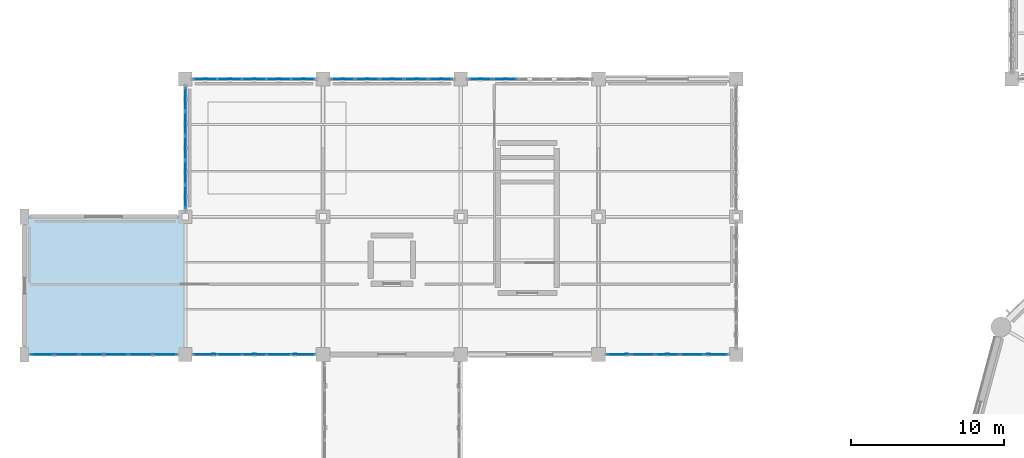
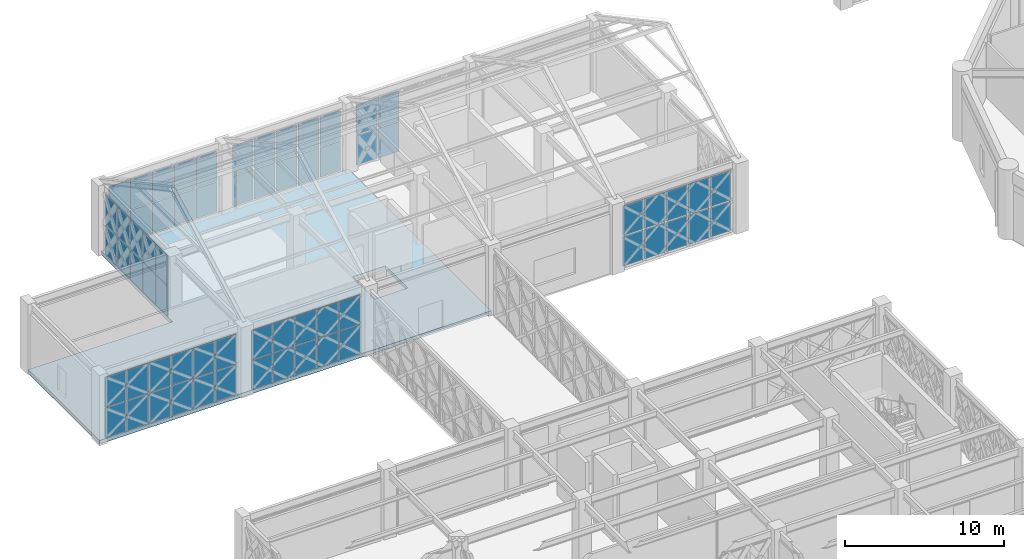
# One storey, part 130 of 166: 66 plates, 1 slab, 7 elements without a shape of their own.
"""IFC4 building model written with IfcOpenShell, lengths in metres."""

from ifc_helpers import new_model, si_unit, direction, frame, origin, origin_2d, place, context, subcontext, project, spatial, polyline, rectangle, outline, extrude, material, layer, layer_set, type_object, element, aggregate, save


model = new_model("IFC4")

# Units and contexts
model_context = context("Model", 3, precision=1e-05, world=origin(), true_north=direction((0.0, 1.0)))
body_context = subcontext(model_context, "Body", "Model", "MODEL_VIEW")
ifc_project = project(units=[si_unit("LENGTHUNIT", "METRE"), si_unit("AREAUNIT", "SQUARE_METRE"), si_unit("VOLUMEUNIT", "CUBIC_METRE"), si_unit("PLANEANGLEUNIT", "RADIAN"), si_unit("MASSUNIT", "GRAM", prefix="KILO")], contexts=[model_context])

# Site, building, storey
site_placement = place(None, origin())
site = spatial("IfcSite", under=ifc_project, at=site_placement, CompositionType="ELEMENT")
building_placement = place(site_placement, origin())
building = spatial("IfcBuilding", under=site, at=building_placement, Name="Haizhuo Lancet Aquarium", CompositionType="ELEMENT")
storey_placement = place(building_placement, frame((0.0, 0.0, 5.39990234375)))
storey = spatial("IfcBuildingStorey", under=building, at=storey_placement, Name="L01", CompositionType="ELEMENT", Elevation=5.39990234375)

# Curtain wall, plates
ifc_material_1 = material(Name="Aluminium 6063-T6", Category="aluminium")
curtain_wall_type_1 = type_object("IfcCurtainWallType", Name="CWD-8010x4800", PredefinedType="NOTDEFINED", material=ifc_material_1)
curtain_wall_1_placement = place(storey_placement, origin())
curtain_wall_1 = element("IfcCurtainWall", 1, at=curtain_wall_1_placement, inside=storey, type_object=curtain_wall_type_1, Name="L01 curtain wall CW-V2-L01-021", PredefinedType="NOTDEFINED")
ifc_material_2 = material(Name="Laminated Low-E Glass", Category="glass")
ifc_layer_1 = layer(ifc_material_2, 0.028076171875)
ifc_layer_set_1 = layer_set([ifc_layer_1], Name="Laminated Low-E Glass")
plate_type_1 = type_object("IfcPlateType", Name="CW-PNL-1", PredefinedType="CURTAIN_PANEL", material=ifc_layer_set_1)
plate_1_placement = place(storey_placement, frame((-72.0, 19.31591796875, 0.080078125), z_axis=(0.0, 0.0, 1.0), x_axis=(0.0, 1.0, 0.0)))
plate_1 = element("IfcPlate", 2, at=plate_1_placement, type_object=plate_type_1, Name="CWD-80x48 panel 1.1", PredefinedType="CURTAIN_PANEL", context=body_context, shape_type="SweptSolid", body=[
    extrude(rectangle(XDim=1.48193359375, YDim=0.028076171875, at=origin_2d()), origin(), (0.0, 0.0, 1.0), 2.280029296875),
])
plate_2_placement = place(storey_placement, frame((-72.0, 19.31591796875, 2.43994140625), z_axis=(0.0, 0.0, 1.0), x_axis=(0.0, 1.0, 0.0)))
plate_2 = element("IfcPlate", 3, at=plate_2_placement, type_object=plate_type_1, Name="CWD-80x48 panel 1.2", PredefinedType="CURTAIN_PANEL", context=body_context, shape_type="SweptSolid", body=[
    extrude(rectangle(XDim=1.48193359375, YDim=0.028076171875, at=origin_2d()), origin(), (0.0, 0.0, 1.0), 2.280029296875),
])
plate_3_placement = place(storey_placement, frame((-72.0, 20.89794921875, 0.080078125), z_axis=(0.0, 0.0, 1.0), x_axis=(0.0, 1.0, 0.0)))
plate_3 = element("IfcPlate", 4, at=plate_3_placement, type_object=plate_type_1, Name="CWD-80x48 panel 2.1", PredefinedType="CURTAIN_PANEL", context=body_context, shape_type="SweptSolid", body=[
    extrude(rectangle(XDim=1.52197265625, YDim=0.028076171875, at=origin_2d()), origin(), (0.0, 0.0, 1.0), 2.280029296875),
])
plate_4_placement = place(storey_placement, frame((-72.0, 20.89794921875, 2.43994140625), z_axis=(0.0, 0.0, 1.0), x_axis=(0.0, 1.0, 0.0)))
plate_4 = element("IfcPlate", 5, at=plate_4_placement, type_object=plate_type_1, Name="CWD-80x48 panel 2.2", PredefinedType="CURTAIN_PANEL", context=body_context, shape_type="SweptSolid", body=[
    extrude(rectangle(XDim=1.52197265625, YDim=0.028076171875, at=origin_2d()), origin(), (0.0, 0.0, 1.0), 2.280029296875),
])
plate_5_placement = place(storey_placement, frame((-72.0, 22.5, 0.080078125), z_axis=(0.0, 0.0, 1.0), x_axis=(0.0, 1.0, 0.0)))
plate_5 = element("IfcPlate", 6, at=plate_5_placement, type_object=plate_type_1, Name="CWD-80x48 panel 3.1", PredefinedType="CURTAIN_PANEL", context=body_context, shape_type="SweptSolid", body=[
    extrude(rectangle(XDim=1.52197265625, YDim=0.028076171875, at=origin_2d()), origin(), (0.0, 0.0, 1.0), 2.280029296875),
])
plate_6_placement = place(storey_placement, frame((-72.0, 22.5, 2.43994140625), z_axis=(0.0, 0.0, 1.0), x_axis=(0.0, 1.0, 0.0)))
plate_6 = element("IfcPlate", 7, at=plate_6_placement, type_object=plate_type_1, Name="CWD-80x48 panel 3.2", PredefinedType="CURTAIN_PANEL", context=body_context, shape_type="SweptSolid", body=[
    extrude(rectangle(XDim=1.52197265625, YDim=0.028076171875, at=origin_2d()), origin(), (0.0, 0.0, 1.0), 2.280029296875),
])
plate_7_placement = place(storey_placement, frame((-72.0, 24.10205078125, 0.080078125), z_axis=(0.0, 0.0, 1.0), x_axis=(0.0, 1.0, 0.0)))
plate_7 = element("IfcPlate", 8, at=plate_7_placement, type_object=plate_type_1, Name="CWD-80x48 panel 4.1", PredefinedType="CURTAIN_PANEL", context=body_context, shape_type="SweptSolid", body=[
    extrude(rectangle(XDim=1.52197265625, YDim=0.028076171875, at=origin_2d()), origin(), (0.0, 0.0, 1.0), 2.280029296875),
])
plate_8_placement = place(storey_placement, frame((-72.0, 24.10205078125, 2.43994140625), z_axis=(0.0, 0.0, 1.0), x_axis=(0.0, 1.0, 0.0)))
plate_8 = element("IfcPlate", 9, at=plate_8_placement, type_object=plate_type_1, Name="CWD-80x48 panel 4.2", PredefinedType="CURTAIN_PANEL", context=body_context, shape_type="SweptSolid", body=[
    extrude(rectangle(XDim=1.52197265625, YDim=0.028076171875, at=origin_2d()), origin(), (0.0, 0.0, 1.0), 2.280029296875),
])
plate_9_placement = place(storey_placement, frame((-72.0, 25.68408203125, 0.080078125), z_axis=(0.0, 0.0, 1.0), x_axis=(0.0, 1.0, 0.0)))
plate_9 = element("IfcPlate", 10, at=plate_9_placement, type_object=plate_type_1, Name="CWD-80x48 panel 5.1", PredefinedType="CURTAIN_PANEL", context=body_context, shape_type="SweptSolid", body=[
    extrude(rectangle(XDim=1.48193359375, YDim=0.028076171875, at=origin_2d()), origin(), (0.0, 0.0, 1.0), 2.280029296875),
])
plate_10_placement = place(storey_placement, frame((-72.0, 25.68408203125, 2.43994140625), z_axis=(0.0, 0.0, 1.0), x_axis=(0.0, 1.0, 0.0)))
plate_10 = element("IfcPlate", 11, at=plate_10_placement, type_object=plate_type_1, Name="CWD-80x48 panel 5.2", PredefinedType="CURTAIN_PANEL", context=body_context, shape_type="SweptSolid", body=[
    extrude(rectangle(XDim=1.48193359375, YDim=0.028076171875, at=origin_2d()), origin(), (0.0, 0.0, 1.0), 2.280029296875),
])
aggregate(curtain_wall_1, [plate_1, plate_2, plate_3, plate_4, plate_5, plate_6, plate_7, plate_8, plate_9, plate_10])

curtain_wall_type_2 = type_object("IfcCurtainWallType", Name="CWO-9660x4800", PredefinedType="NOTDEFINED", material=ifc_material_1)
curtain_wall_2_placement = place(storey_placement, origin())
curtain_wall_2 = element("IfcCurtainWall", 12, at=curtain_wall_2_placement, inside=storey, type_object=curtain_wall_type_2, Name="L01 curtain wall CW-V2-L01-029", PredefinedType="NOTDEFINED")
plate_11_placement = place(storey_placement, frame((-73.319091796875, 9.0, 0.074951171875), z_axis=(0.0, 0.0, 1.0), x_axis=(-1.0, 0.0, 0.0)))
plate_11 = element("IfcPlate", 13, at=plate_11_placement, type_object=plate_type_1, Name="CWO-96x48 panel 1.1", PredefinedType="CURTAIN_PANEL", context=body_context, shape_type="SweptSolid", body=[
    extrude(rectangle(XDim=1.4970703125, YDim=0.028076171875, at=origin_2d()), origin(), (0.0, 0.0, 1.0), 2.2880859375),
])
plate_12_placement = place(storey_placement, frame((-73.319091796875, 9.0, 2.43701171875), z_axis=(0.0, 0.0, 1.0), x_axis=(-1.0, 0.0, 0.0)))
plate_12 = element("IfcPlate", 14, at=plate_12_placement, type_object=plate_type_1, Name="CWO-96x48 panel 1.2", PredefinedType="CURTAIN_PANEL", context=body_context, shape_type="SweptSolid", body=[
    extrude(rectangle(XDim=1.4970703125, YDim=0.028076171875, at=origin_2d()), origin(), (0.0, 0.0, 1.0), 2.2880859375),
])
plate_13_placement = place(storey_placement, frame((-74.909912109375, 9.0, 0.074951171875), z_axis=(0.0, 0.0, 1.0), x_axis=(-1.0, 0.0, 0.0)))
plate_13 = element("IfcPlate", 15, at=plate_13_placement, type_object=plate_type_1, Name="CWO-96x48 panel 2.1", PredefinedType="CURTAIN_PANEL", context=body_context, shape_type="SweptSolid", body=[
    extrude(rectangle(XDim=1.534912109375, YDim=0.028076171875, at=origin_2d()), origin(), (0.0, 0.0, 1.0), 2.2880859375),
])
plate_14_placement = place(storey_placement, frame((-74.909912109375, 9.0, 2.43701171875), z_axis=(0.0, 0.0, 1.0), x_axis=(-1.0, 0.0, 0.0)))
plate_14 = element("IfcPlate", 16, at=plate_14_placement, type_object=plate_type_1, Name="CWO-96x48 panel 2.2", PredefinedType="CURTAIN_PANEL", context=body_context, shape_type="SweptSolid", body=[
    extrude(rectangle(XDim=1.534912109375, YDim=0.028076171875, at=origin_2d()), origin(), (0.0, 0.0, 1.0), 2.2880859375),
])
plate_15_placement = place(storey_placement, frame((-76.52001953125, 9.0, 0.074951171875), z_axis=(0.0, 0.0, 1.0), x_axis=(-1.0, 0.0, 0.0)))
plate_15 = element("IfcPlate", 17, at=plate_15_placement, type_object=plate_type_1, Name="CWO-96x48 panel 3.1", PredefinedType="CURTAIN_PANEL", context=body_context, shape_type="SweptSolid", body=[
    extrude(rectangle(XDim=1.534912109375, YDim=0.028076171875, at=origin_2d()), origin(), (0.0, 0.0, 1.0), 2.2880859375),
])
plate_16_placement = place(storey_placement, frame((-76.52001953125, 9.0, 2.43701171875), z_axis=(0.0, 0.0, 1.0), x_axis=(-1.0, 0.0, 0.0)))
plate_16 = element("IfcPlate", 18, at=plate_16_placement, type_object=plate_type_1, Name="CWO-96x48 panel 3.2", PredefinedType="CURTAIN_PANEL", context=body_context, shape_type="SweptSolid", body=[
    extrude(rectangle(XDim=1.534912109375, YDim=0.028076171875, at=origin_2d()), origin(), (0.0, 0.0, 1.0), 2.2880859375),
])
plate_17_placement = place(storey_placement, frame((-78.1298828125, 9.0, 0.074951171875), z_axis=(0.0, 0.0, 1.0), x_axis=(-1.0, 0.0, 0.0)))
plate_17 = element("IfcPlate", 19, at=plate_17_placement, type_object=plate_type_1, Name="CWO-96x48 panel 4.1", PredefinedType="CURTAIN_PANEL", context=body_context, shape_type="SweptSolid", body=[
    extrude(rectangle(XDim=1.534912109375, YDim=0.028076171875, at=origin_2d()), origin(), (0.0, 0.0, 1.0), 2.2880859375),
])
plate_18_placement = place(storey_placement, frame((-78.1298828125, 9.0, 2.43701171875), z_axis=(0.0, 0.0, 1.0), x_axis=(-1.0, 0.0, 0.0)))
plate_18 = element("IfcPlate", 20, at=plate_18_placement, type_object=plate_type_1, Name="CWO-96x48 panel 4.2", PredefinedType="CURTAIN_PANEL", context=body_context, shape_type="SweptSolid", body=[
    extrude(rectangle(XDim=1.534912109375, YDim=0.028076171875, at=origin_2d()), origin(), (0.0, 0.0, 1.0), 2.2880859375),
])
plate_19_placement = place(storey_placement, frame((-79.739990234375, 9.0, 0.074951171875), z_axis=(0.0, 0.0, 1.0), x_axis=(-1.0, 0.0, 0.0)))
plate_19 = element("IfcPlate", 21, at=plate_19_placement, type_object=plate_type_1, Name="CWO-96x48 panel 5.1", PredefinedType="CURTAIN_PANEL", context=body_context, shape_type="SweptSolid", body=[
    extrude(rectangle(XDim=1.534912109375, YDim=0.028076171875, at=origin_2d()), origin(), (0.0, 0.0, 1.0), 2.2880859375),
])
plate_20_placement = place(storey_placement, frame((-79.739990234375, 9.0, 2.43701171875), z_axis=(0.0, 0.0, 1.0), x_axis=(-1.0, 0.0, 0.0)))
plate_20 = element("IfcPlate", 22, at=plate_20_placement, type_object=plate_type_1, Name="CWO-96x48 panel 5.2", PredefinedType="CURTAIN_PANEL", context=body_context, shape_type="SweptSolid", body=[
    extrude(rectangle(XDim=1.534912109375, YDim=0.028076171875, at=origin_2d()), origin(), (0.0, 0.0, 1.0), 2.2880859375),
])
plate_21_placement = place(storey_placement, frame((-81.3310546875, 9.0, 0.074951171875), z_axis=(0.0, 0.0, 1.0), x_axis=(-1.0, 0.0, 0.0)))
plate_21 = element("IfcPlate", 23, at=plate_21_placement, type_object=plate_type_1, Name="CWO-96x48 panel 6.1", PredefinedType="CURTAIN_PANEL", context=body_context, shape_type="SweptSolid", body=[
    extrude(rectangle(XDim=1.498046875, YDim=0.028076171875, at=origin_2d()), origin(), (0.0, 0.0, 1.0), 2.2880859375),
])
plate_22_placement = place(storey_placement, frame((-81.3310546875, 9.0, 2.43701171875), z_axis=(0.0, 0.0, 1.0), x_axis=(-1.0, 0.0, 0.0)))
plate_22 = element("IfcPlate", 24, at=plate_22_placement, type_object=plate_type_1, Name="CWO-96x48 panel 6.2", PredefinedType="CURTAIN_PANEL", context=body_context, shape_type="SweptSolid", body=[
    extrude(rectangle(XDim=1.498046875, YDim=0.028076171875, at=origin_2d()), origin(), (0.0, 0.0, 1.0), 2.2880859375),
])
aggregate(curtain_wall_2, [plate_11, plate_12, plate_13, plate_14, plate_15, plate_16, plate_17, plate_18, plate_19, plate_20, plate_21, plate_22])

curtain_wall_3_placement = place(storey_placement, origin())
curtain_wall_3 = element("IfcCurtainWall", 25, at=curtain_wall_3_placement, inside=storey, type_object=curtain_wall_type_1, Name="L01 curtain wall CW-V2-L01-022", PredefinedType="NOTDEFINED")
ifc_layer_2 = layer(ifc_material_2, 0.033935546875)
ifc_layer_set_2 = layer_set([ifc_layer_2], Name="Laminated Low-E Glass")
plate_type_2 = type_object("IfcPlateType", Name="CW-PNL-2", PredefinedType="CURTAIN_PANEL", material=ifc_layer_set_2)
plate_23_placement = place(storey_placement, frame((-70.68798828125, 27.0, 0.064453125), z_axis=(0.0, 0.0, 1.0), x_axis=(1.0, 0.0, 0.0)))
plate_23 = element("IfcPlate", 26, at=plate_23_placement, type_object=plate_type_2, Name="CWD-80x48 panel 1.1", PredefinedType="CURTAIN_PANEL", context=body_context, shape_type="SweptSolid", body=[
    extrude(rectangle(XDim=1.50390625, YDim=0.033935546875, at=origin_2d()), origin(), (0.0, 0.0, 1.0), 2.302978515625),
])
plate_24_placement = place(storey_placement, frame((-70.68798828125, 27.0, 2.43310546875), z_axis=(0.0, 0.0, 1.0), x_axis=(1.0, 0.0, 0.0)))
plate_24 = element("IfcPlate", 27, at=plate_24_placement, type_object=plate_type_2, Name="CWD-80x48 panel 1.2", PredefinedType="CURTAIN_PANEL", context=body_context, shape_type="SweptSolid", body=[
    extrude(rectangle(XDim=1.50390625, YDim=0.033935546875, at=origin_2d()), origin(), (0.0, 0.0, 1.0), 2.302001953125),
])
plate_25_placement = place(storey_placement, frame((-69.10205078125, 27.0, 0.064453125), z_axis=(0.0, 0.0, 1.0), x_axis=(1.0, 0.0, 0.0)))
plate_25 = element("IfcPlate", 28, at=plate_25_placement, type_object=plate_type_2, Name="CWD-80x48 panel 2.1", PredefinedType="CURTAIN_PANEL", context=body_context, shape_type="SweptSolid", body=[
    extrude(rectangle(XDim=1.537109375, YDim=0.033935546875, at=origin_2d()), origin(), (0.0, 0.0, 1.0), 2.302978515625),
])
plate_26_placement = place(storey_placement, frame((-69.10205078125, 27.0, 2.43310546875), z_axis=(0.0, 0.0, 1.0), x_axis=(1.0, 0.0, 0.0)))
plate_26 = element("IfcPlate", 29, at=plate_26_placement, type_object=plate_type_2, Name="CWD-80x48 panel 2.2", PredefinedType="CURTAIN_PANEL", context=body_context, shape_type="SweptSolid", body=[
    extrude(rectangle(XDim=1.537109375, YDim=0.033935546875, at=origin_2d()), origin(), (0.0, 0.0, 1.0), 2.302001953125),
])
plate_27_placement = place(storey_placement, frame((-67.5, 27.0, 0.064453125), z_axis=(0.0, 0.0, 1.0), x_axis=(1.0, 0.0, 0.0)))
plate_27 = element("IfcPlate", 30, at=plate_27_placement, type_object=plate_type_2, Name="CWD-80x48 panel 3.1", PredefinedType="CURTAIN_PANEL", context=body_context, shape_type="SweptSolid", body=[
    extrude(rectangle(XDim=1.537109375, YDim=0.033935546875, at=origin_2d()), origin(), (0.0, 0.0, 1.0), 2.302978515625),
])
plate_28_placement = place(storey_placement, frame((-67.5, 27.0, 2.43310546875), z_axis=(0.0, 0.0, 1.0), x_axis=(1.0, 0.0, 0.0)))
plate_28 = element("IfcPlate", 31, at=plate_28_placement, type_object=plate_type_2, Name="CWD-80x48 panel 3.2", PredefinedType="CURTAIN_PANEL", context=body_context, shape_type="SweptSolid", body=[
    extrude(rectangle(XDim=1.537109375, YDim=0.033935546875, at=origin_2d()), origin(), (0.0, 0.0, 1.0), 2.302001953125),
])
plate_29_placement = place(storey_placement, frame((-65.89794921875, 27.0, 0.064453125), z_axis=(0.0, 0.0, 1.0), x_axis=(1.0, 0.0, 0.0)))
plate_29 = element("IfcPlate", 32, at=plate_29_placement, type_object=plate_type_2, Name="CWD-80x48 panel 4.1", PredefinedType="CURTAIN_PANEL", context=body_context, shape_type="SweptSolid", body=[
    extrude(rectangle(XDim=1.537109375, YDim=0.033935546875, at=origin_2d()), origin(), (0.0, 0.0, 1.0), 2.302978515625),
])
plate_30_placement = place(storey_placement, frame((-65.89794921875, 27.0, 2.43310546875), z_axis=(0.0, 0.0, 1.0), x_axis=(1.0, 0.0, 0.0)))
plate_30 = element("IfcPlate", 33, at=plate_30_placement, type_object=plate_type_2, Name="CWD-80x48 panel 4.2", PredefinedType="CURTAIN_PANEL", context=body_context, shape_type="SweptSolid", body=[
    extrude(rectangle(XDim=1.537109375, YDim=0.033935546875, at=origin_2d()), origin(), (0.0, 0.0, 1.0), 2.302001953125),
])
plate_31_placement = place(storey_placement, frame((-64.31201171875, 27.0, 0.064453125), z_axis=(0.0, 0.0, 1.0), x_axis=(1.0, 0.0, 0.0)))
plate_31 = element("IfcPlate", 34, at=plate_31_placement, type_object=plate_type_2, Name="CWD-80x48 panel 5.1", PredefinedType="CURTAIN_PANEL", context=body_context, shape_type="SweptSolid", body=[
    extrude(rectangle(XDim=1.5048828125, YDim=0.033935546875, at=origin_2d()), origin(), (0.0, 0.0, 1.0), 2.302978515625),
])
plate_32_placement = place(storey_placement, frame((-64.31201171875, 27.0, 2.43310546875), z_axis=(0.0, 0.0, 1.0), x_axis=(1.0, 0.0, 0.0)))
plate_32 = element("IfcPlate", 35, at=plate_32_placement, type_object=plate_type_2, Name="CWD-80x48 panel 5.2", PredefinedType="CURTAIN_PANEL", context=body_context, shape_type="SweptSolid", body=[
    extrude(rectangle(XDim=1.5048828125, YDim=0.033935546875, at=origin_2d()), origin(), (0.0, 0.0, 1.0), 2.302001953125),
])
aggregate(curtain_wall_3, [plate_23, plate_24, plate_25, plate_26, plate_27, plate_28, plate_29, plate_30, plate_31, plate_32])

curtain_wall_4_placement = place(storey_placement, origin())
curtain_wall_4 = element("IfcCurtainWall", 36, at=curtain_wall_4_placement, inside=storey, type_object=curtain_wall_type_1, Name="L01 curtain wall CW-V2-L01-023", PredefinedType="NOTDEFINED")
ifc_layer_3 = layer(ifc_material_2, 0.0419921875)
ifc_layer_set_3 = layer_set([ifc_layer_3], Name="Laminated Low-E Glass")
plate_type_3 = type_object("IfcPlateType", Name="CW-PNL-3", PredefinedType="CURTAIN_PANEL", material=ifc_layer_set_3)
plate_33_placement = place(storey_placement, frame((-61.68505859375, 27.0, 0.074951171875), z_axis=(0.0, 0.0, 1.0), x_axis=(1.0, 0.0, 0.0)))
plate_33 = element("IfcPlate", 37, at=plate_33_placement, type_object=plate_type_3, Name="CWD-80x48 panel 1.1", PredefinedType="CURTAIN_PANEL", context=body_context, shape_type="SweptSolid", body=[
    extrude(rectangle(XDim=1.489990234375, YDim=0.0419921875, at=origin_2d()), origin(), (0.0, 0.0, 1.0), 2.2880859375),
])
plate_34_placement = place(storey_placement, frame((-61.68505859375, 27.0, 2.43701171875), z_axis=(0.0, 0.0, 1.0), x_axis=(1.0, 0.0, 0.0)))
plate_34 = element("IfcPlate", 38, at=plate_34_placement, type_object=plate_type_3, Name="CWD-80x48 panel 1.2", PredefinedType="CURTAIN_PANEL", context=body_context, shape_type="SweptSolid", body=[
    extrude(rectangle(XDim=1.489990234375, YDim=0.0419921875, at=origin_2d()), origin(), (0.0, 0.0, 1.0), 2.2880859375),
])
plate_35_placement = place(storey_placement, frame((-60.10205078125, 27.0, 0.074951171875), z_axis=(0.0, 0.0, 1.0), x_axis=(1.0, 0.0, 0.0)))
plate_35 = element("IfcPlate", 39, at=plate_35_placement, type_object=plate_type_3, Name="CWD-80x48 panel 2.1", PredefinedType="CURTAIN_PANEL", context=body_context, shape_type="SweptSolid", body=[
    extrude(rectangle(XDim=1.527099609375, YDim=0.0419921875, at=origin_2d()), origin(), (0.0, 0.0, 1.0), 2.2880859375),
])
plate_36_placement = place(storey_placement, frame((-60.10205078125, 27.0, 2.43701171875), z_axis=(0.0, 0.0, 1.0), x_axis=(1.0, 0.0, 0.0)))
plate_36 = element("IfcPlate", 40, at=plate_36_placement, type_object=plate_type_3, Name="CWD-80x48 panel 2.2", PredefinedType="CURTAIN_PANEL", context=body_context, shape_type="SweptSolid", body=[
    extrude(rectangle(XDim=1.527099609375, YDim=0.0419921875, at=origin_2d()), origin(), (0.0, 0.0, 1.0), 2.2880859375),
])
plate_37_placement = place(storey_placement, frame((-58.5, 27.0, 0.074951171875), z_axis=(0.0, 0.0, 1.0), x_axis=(1.0, 0.0, 0.0)))
plate_37 = element("IfcPlate", 41, at=plate_37_placement, type_object=plate_type_3, Name="CWD-80x48 panel 3.1", PredefinedType="CURTAIN_PANEL", context=body_context, shape_type="SweptSolid", body=[
    extrude(rectangle(XDim=1.527099609375, YDim=0.0419921875, at=origin_2d()), origin(), (0.0, 0.0, 1.0), 2.2880859375),
])
plate_38_placement = place(storey_placement, frame((-58.5, 27.0, 2.43701171875), z_axis=(0.0, 0.0, 1.0), x_axis=(1.0, 0.0, 0.0)))
plate_38 = element("IfcPlate", 42, at=plate_38_placement, type_object=plate_type_3, Name="CWD-80x48 panel 3.2", PredefinedType="CURTAIN_PANEL", context=body_context, shape_type="SweptSolid", body=[
    extrude(rectangle(XDim=1.527099609375, YDim=0.0419921875, at=origin_2d()), origin(), (0.0, 0.0, 1.0), 2.2880859375),
])
plate_39_placement = place(storey_placement, frame((-56.89794921875, 27.0, 0.074951171875), z_axis=(0.0, 0.0, 1.0), x_axis=(1.0, 0.0, 0.0)))
plate_39 = element("IfcPlate", 43, at=plate_39_placement, type_object=plate_type_3, Name="CWD-80x48 panel 4.1", PredefinedType="CURTAIN_PANEL", context=body_context, shape_type="SweptSolid", body=[
    extrude(rectangle(XDim=1.527099609375, YDim=0.0419921875, at=origin_2d()), origin(), (0.0, 0.0, 1.0), 2.2880859375),
])
plate_40_placement = place(storey_placement, frame((-56.89794921875, 27.0, 2.43701171875), z_axis=(0.0, 0.0, 1.0), x_axis=(1.0, 0.0, 0.0)))
plate_40 = element("IfcPlate", 44, at=plate_40_placement, type_object=plate_type_3, Name="CWD-80x48 panel 4.2", PredefinedType="CURTAIN_PANEL", context=body_context, shape_type="SweptSolid", body=[
    extrude(rectangle(XDim=1.527099609375, YDim=0.0419921875, at=origin_2d()), origin(), (0.0, 0.0, 1.0), 2.2880859375),
])
plate_41_placement = place(storey_placement, frame((-55.31494140625, 27.0, 0.074951171875), z_axis=(0.0, 0.0, 1.0), x_axis=(1.0, 0.0, 0.0)))
plate_41 = element("IfcPlate", 45, at=plate_41_placement, type_object=plate_type_3, Name="CWD-80x48 panel 5.1", PredefinedType="CURTAIN_PANEL", context=body_context, shape_type="SweptSolid", body=[
    extrude(rectangle(XDim=1.489990234375, YDim=0.0419921875, at=origin_2d()), origin(), (0.0, 0.0, 1.0), 2.2880859375),
])
plate_42_placement = place(storey_placement, frame((-55.31494140625, 27.0, 2.43701171875), z_axis=(0.0, 0.0, 1.0), x_axis=(1.0, 0.0, 0.0)))
plate_42 = element("IfcPlate", 46, at=plate_42_placement, type_object=plate_type_3, Name="CWD-80x48 panel 5.2", PredefinedType="CURTAIN_PANEL", context=body_context, shape_type="SweptSolid", body=[
    extrude(rectangle(XDim=1.489990234375, YDim=0.0419921875, at=origin_2d()), origin(), (0.0, 0.0, 1.0), 2.2880859375),
])
aggregate(curtain_wall_4, [plate_33, plate_34, plate_35, plate_36, plate_37, plate_38, plate_39, plate_40, plate_41, plate_42])

curtain_wall_type_3 = type_object("IfcCurtainWallType", Name="CWO-8010x4800", PredefinedType="NOTDEFINED", material=ifc_material_1)
curtain_wall_5_placement = place(storey_placement, origin())
curtain_wall_5 = element("IfcCurtainWall", 47, at=curtain_wall_5_placement, inside=storey, type_object=curtain_wall_type_3, Name="L01 curtain wall CW-V2-L01-027", PredefinedType="NOTDEFINED")
plate_43_placement = place(storey_placement, frame((-37.31591796875, 9.0, 0.080078125), z_axis=(0.0, 0.0, 1.0), x_axis=(-1.0, 0.0, 0.0)))
plate_43 = element("IfcPlate", 48, at=plate_43_placement, type_object=plate_type_3, Name="CWO-80x48 panel 1.1", PredefinedType="CURTAIN_PANEL", context=body_context, shape_type="SweptSolid", body=[
    extrude(rectangle(XDim=1.48193359375, YDim=0.0419921875, at=origin_2d()), origin(), (0.0, 0.0, 1.0), 2.280029296875),
])
plate_44_placement = place(storey_placement, frame((-37.31591796875, 9.0, 2.43994140625), z_axis=(0.0, 0.0, 1.0), x_axis=(-1.0, 0.0, 0.0)))
plate_44 = element("IfcPlate", 49, at=plate_44_placement, type_object=plate_type_3, Name="CWO-80x48 panel 1.2", PredefinedType="CURTAIN_PANEL", context=body_context, shape_type="SweptSolid", body=[
    extrude(rectangle(XDim=1.48193359375, YDim=0.0419921875, at=origin_2d()), origin(), (0.0, 0.0, 1.0), 2.280029296875),
])
plate_45_placement = place(storey_placement, frame((-38.89794921875, 9.0, 0.080078125), z_axis=(0.0, 0.0, 1.0), x_axis=(-1.0, 0.0, 0.0)))
plate_45 = element("IfcPlate", 50, at=plate_45_placement, type_object=plate_type_3, Name="CWO-80x48 panel 2.1", PredefinedType="CURTAIN_PANEL", context=body_context, shape_type="SweptSolid", body=[
    extrude(rectangle(XDim=1.52197265625, YDim=0.0419921875, at=origin_2d()), origin(), (0.0, 0.0, 1.0), 2.280029296875),
])
plate_46_placement = place(storey_placement, frame((-38.89794921875, 9.0, 2.43994140625), z_axis=(0.0, 0.0, 1.0), x_axis=(-1.0, 0.0, 0.0)))
plate_46 = element("IfcPlate", 51, at=plate_46_placement, type_object=plate_type_3, Name="CWO-80x48 panel 2.2", PredefinedType="CURTAIN_PANEL", context=body_context, shape_type="SweptSolid", body=[
    extrude(rectangle(XDim=1.52197265625, YDim=0.0419921875, at=origin_2d()), origin(), (0.0, 0.0, 1.0), 2.280029296875),
])
plate_47_placement = place(storey_placement, frame((-40.5, 9.0, 0.080078125), z_axis=(0.0, 0.0, 1.0), x_axis=(-1.0, 0.0, 0.0)))
plate_47 = element("IfcPlate", 52, at=plate_47_placement, type_object=plate_type_3, Name="CWO-80x48 panel 3.1", PredefinedType="CURTAIN_PANEL", context=body_context, shape_type="SweptSolid", body=[
    extrude(rectangle(XDim=1.52197265625, YDim=0.0419921875, at=origin_2d()), origin(), (0.0, 0.0, 1.0), 2.280029296875),
])
plate_48_placement = place(storey_placement, frame((-40.5, 9.0, 2.43994140625), z_axis=(0.0, 0.0, 1.0), x_axis=(-1.0, 0.0, 0.0)))
plate_48 = element("IfcPlate", 53, at=plate_48_placement, type_object=plate_type_3, Name="CWO-80x48 panel 3.2", PredefinedType="CURTAIN_PANEL", context=body_context, shape_type="SweptSolid", body=[
    extrude(rectangle(XDim=1.52197265625, YDim=0.0419921875, at=origin_2d()), origin(), (0.0, 0.0, 1.0), 2.280029296875),
])
plate_49_placement = place(storey_placement, frame((-42.10205078125, 9.0, 0.080078125), z_axis=(0.0, 0.0, 1.0), x_axis=(-1.0, 0.0, 0.0)))
plate_49 = element("IfcPlate", 54, at=plate_49_placement, type_object=plate_type_3, Name="CWO-80x48 panel 4.1", PredefinedType="CURTAIN_PANEL", context=body_context, shape_type="SweptSolid", body=[
    extrude(rectangle(XDim=1.52197265625, YDim=0.0419921875, at=origin_2d()), origin(), (0.0, 0.0, 1.0), 2.280029296875),
])
plate_50_placement = place(storey_placement, frame((-42.10205078125, 9.0, 2.43994140625), z_axis=(0.0, 0.0, 1.0), x_axis=(-1.0, 0.0, 0.0)))
plate_50 = element("IfcPlate", 55, at=plate_50_placement, type_object=plate_type_3, Name="CWO-80x48 panel 4.2", PredefinedType="CURTAIN_PANEL", context=body_context, shape_type="SweptSolid", body=[
    extrude(rectangle(XDim=1.52197265625, YDim=0.0419921875, at=origin_2d()), origin(), (0.0, 0.0, 1.0), 2.280029296875),
])
plate_51_placement = place(storey_placement, frame((-43.68408203125, 9.0, 0.080078125), z_axis=(0.0, 0.0, 1.0), x_axis=(-1.0, 0.0, 0.0)))
plate_51 = element("IfcPlate", 56, at=plate_51_placement, type_object=plate_type_3, Name="CWO-80x48 panel 5.1", PredefinedType="CURTAIN_PANEL", context=body_context, shape_type="SweptSolid", body=[
    extrude(rectangle(XDim=1.48193359375, YDim=0.0419921875, at=origin_2d()), origin(), (0.0, 0.0, 1.0), 2.280029296875),
])
plate_52_placement = place(storey_placement, frame((-43.68408203125, 9.0, 2.43994140625), z_axis=(0.0, 0.0, 1.0), x_axis=(-1.0, 0.0, 0.0)))
plate_52 = element("IfcPlate", 57, at=plate_52_placement, type_object=plate_type_3, Name="CWO-80x48 panel 5.2", PredefinedType="CURTAIN_PANEL", context=body_context, shape_type="SweptSolid", body=[
    extrude(rectangle(XDim=1.48193359375, YDim=0.0419921875, at=origin_2d()), origin(), (0.0, 0.0, 1.0), 2.280029296875),
])
aggregate(curtain_wall_5, [plate_43, plate_44, plate_45, plate_46, plate_47, plate_48, plate_49, plate_50, plate_51, plate_52])

curtain_wall_6_placement = place(storey_placement, origin())
curtain_wall_6 = element("IfcCurtainWall", 58, at=curtain_wall_6_placement, inside=storey, type_object=curtain_wall_type_1, Name="L01 curtain wall CW-V2-L01-024", PredefinedType="NOTDEFINED")
ifc_layer_4 = layer(ifc_material_2, 0.052001953125)
ifc_layer_set_4 = layer_set([ifc_layer_4], Name="Laminated Low-E Glass")
plate_type_4 = type_object("IfcPlateType", Name="CW-PNL-4", PredefinedType="CURTAIN_PANEL", material=ifc_layer_set_4)
plate_53_placement = place(storey_placement, frame((-52.68408203125, 27.0, 0.080078125), z_axis=(0.0, 0.0, 1.0), x_axis=(1.0, 0.0, 0.0)))
plate_53 = element("IfcPlate", 59, at=plate_53_placement, type_object=plate_type_4, Name="CWD-80x48 panel 1.1", PredefinedType="CURTAIN_PANEL", context=body_context, shape_type="SweptSolid", body=[
    extrude(rectangle(XDim=1.48193359375, YDim=0.052001953125, at=origin_2d()), origin(), (0.0, 0.0, 1.0), 2.280029296875),
])
plate_54_placement = place(storey_placement, frame((-52.68408203125, 27.0, 2.43994140625), z_axis=(0.0, 0.0, 1.0), x_axis=(1.0, 0.0, 0.0)))
plate_54 = element("IfcPlate", 60, at=plate_54_placement, type_object=plate_type_4, Name="CWD-80x48 panel 1.2", PredefinedType="CURTAIN_PANEL", context=body_context, shape_type="SweptSolid", body=[
    extrude(rectangle(XDim=1.48193359375, YDim=0.052001953125, at=origin_2d()), origin(), (0.0, 0.0, 1.0), 2.280029296875),
])
plate_55_placement = place(storey_placement, frame((-51.10205078125, 27.0, 0.080078125), z_axis=(0.0, 0.0, 1.0), x_axis=(1.0, 0.0, 0.0)))
plate_55 = element("IfcPlate", 61, at=plate_55_placement, type_object=plate_type_4, Name="CWD-80x48 panel 2.1", PredefinedType="CURTAIN_PANEL", context=body_context, shape_type="SweptSolid", body=[
    extrude(rectangle(XDim=1.52197265625, YDim=0.052001953125, at=origin_2d()), origin(), (0.0, 0.0, 1.0), 2.280029296875),
])
plate_56_placement = place(storey_placement, frame((-51.10205078125, 27.0, 2.43994140625), z_axis=(0.0, 0.0, 1.0), x_axis=(1.0, 0.0, 0.0)))
plate_56 = element("IfcPlate", 62, at=plate_56_placement, type_object=plate_type_4, Name="CWD-80x48 panel 2.2", PredefinedType="CURTAIN_PANEL", context=body_context, shape_type="SweptSolid", body=[
    extrude(rectangle(XDim=1.52197265625, YDim=0.052001953125, at=origin_2d()), origin(), (0.0, 0.0, 1.0), 2.280029296875),
])
aggregate(curtain_wall_6, [plate_53, plate_54, plate_55, plate_56])

curtain_wall_type_4 = type_object("IfcCurtainWallType", Name="CWO-8010x4650", PredefinedType="NOTDEFINED", material=ifc_material_1)
curtain_wall_7_placement = place(storey_placement, origin())
curtain_wall_7 = element("IfcCurtainWall", 63, at=curtain_wall_7_placement, inside=storey, type_object=curtain_wall_type_4, Name="L01 curtain wall CW-V2-L01-028", PredefinedType="NOTDEFINED")
plate_57_placement = place(storey_placement, frame((-64.31201171875, 9.0, 0.065185546875), z_axis=(0.0, 0.0, 1.0), x_axis=(-1.0, 0.0, 0.0)))
plate_57 = element("IfcPlate", 64, at=plate_57_placement, type_object=plate_type_4, Name="CWO-80x46 panel 1.1", PredefinedType="CURTAIN_PANEL", context=body_context, shape_type="SweptSolid", body=[
    extrude(rectangle(XDim=1.50390625, YDim=0.052001953125, at=origin_2d()), origin(), (0.0, 0.0, 1.0), 2.22802734375),
])
plate_58_placement = place(storey_placement, frame((-64.31201171875, 9.0, 2.357177734375), z_axis=(0.0, 0.0, 1.0), x_axis=(-1.0, 0.0, 0.0)))
plate_58 = element("IfcPlate", 65, at=plate_58_placement, type_object=plate_type_4, Name="CWO-80x46 panel 1.2", PredefinedType="CURTAIN_PANEL", context=body_context, shape_type="SweptSolid", body=[
    extrude(rectangle(XDim=1.50390625, YDim=0.052001953125, at=origin_2d()), origin(), (0.0, 0.0, 1.0), 2.22802734375),
])
plate_59_placement = place(storey_placement, frame((-65.89794921875, 9.0, 0.065185546875), z_axis=(0.0, 0.0, 1.0), x_axis=(-1.0, 0.0, 0.0)))
plate_59 = element("IfcPlate", 66, at=plate_59_placement, type_object=plate_type_4, Name="CWO-80x46 panel 2.1", PredefinedType="CURTAIN_PANEL", context=body_context, shape_type="SweptSolid", body=[
    extrude(rectangle(XDim=1.537109375, YDim=0.052001953125, at=origin_2d()), origin(), (0.0, 0.0, 1.0), 2.22802734375),
])
plate_60_placement = place(storey_placement, frame((-65.89794921875, 9.0, 2.357177734375), z_axis=(0.0, 0.0, 1.0), x_axis=(-1.0, 0.0, 0.0)))
plate_60 = element("IfcPlate", 67, at=plate_60_placement, type_object=plate_type_4, Name="CWO-80x46 panel 2.2", PredefinedType="CURTAIN_PANEL", context=body_context, shape_type="SweptSolid", body=[
    extrude(rectangle(XDim=1.537109375, YDim=0.052001953125, at=origin_2d()), origin(), (0.0, 0.0, 1.0), 2.22802734375),
])
plate_61_placement = place(storey_placement, frame((-67.5, 9.0, 0.065185546875), z_axis=(0.0, 0.0, 1.0), x_axis=(-1.0, 0.0, 0.0)))
plate_61 = element("IfcPlate", 68, at=plate_61_placement, type_object=plate_type_4, Name="CWO-80x46 panel 3.1", PredefinedType="CURTAIN_PANEL", context=body_context, shape_type="SweptSolid", body=[
    extrude(rectangle(XDim=1.537109375, YDim=0.052001953125, at=origin_2d()), origin(), (0.0, 0.0, 1.0), 2.22802734375),
])
plate_62_placement = place(storey_placement, frame((-67.5, 9.0, 2.357177734375), z_axis=(0.0, 0.0, 1.0), x_axis=(-1.0, 0.0, 0.0)))
plate_62 = element("IfcPlate", 69, at=plate_62_placement, type_object=plate_type_4, Name="CWO-80x46 panel 3.2", PredefinedType="CURTAIN_PANEL", context=body_context, shape_type="SweptSolid", body=[
    extrude(rectangle(XDim=1.537109375, YDim=0.052001953125, at=origin_2d()), origin(), (0.0, 0.0, 1.0), 2.22802734375),
])
plate_63_placement = place(storey_placement, frame((-69.10205078125, 9.0, 0.065185546875), z_axis=(0.0, 0.0, 1.0), x_axis=(-1.0, 0.0, 0.0)))
plate_63 = element("IfcPlate", 70, at=plate_63_placement, type_object=plate_type_4, Name="CWO-80x46 panel 4.1", PredefinedType="CURTAIN_PANEL", context=body_context, shape_type="SweptSolid", body=[
    extrude(rectangle(XDim=1.537109375, YDim=0.052001953125, at=origin_2d()), origin(), (0.0, 0.0, 1.0), 2.22802734375),
])
plate_64_placement = place(storey_placement, frame((-69.10205078125, 9.0, 2.357177734375), z_axis=(0.0, 0.0, 1.0), x_axis=(-1.0, 0.0, 0.0)))
plate_64 = element("IfcPlate", 71, at=plate_64_placement, type_object=plate_type_4, Name="CWO-80x46 panel 4.2", PredefinedType="CURTAIN_PANEL", context=body_context, shape_type="SweptSolid", body=[
    extrude(rectangle(XDim=1.537109375, YDim=0.052001953125, at=origin_2d()), origin(), (0.0, 0.0, 1.0), 2.22802734375),
])
plate_65_placement = place(storey_placement, frame((-70.68798828125, 9.0, 0.065185546875), z_axis=(0.0, 0.0, 1.0), x_axis=(-1.0, 0.0, 0.0)))
plate_65 = element("IfcPlate", 72, at=plate_65_placement, type_object=plate_type_4, Name="CWO-80x46 panel 5.1", PredefinedType="CURTAIN_PANEL", context=body_context, shape_type="SweptSolid", body=[
    extrude(rectangle(XDim=1.5048828125, YDim=0.052001953125, at=origin_2d()), origin(), (0.0, 0.0, 1.0), 2.22802734375),
])
plate_66_placement = place(storey_placement, frame((-70.68798828125, 9.0, 2.357177734375), z_axis=(0.0, 0.0, 1.0), x_axis=(-1.0, 0.0, 0.0)))
plate_66 = element("IfcPlate", 73, at=plate_66_placement, type_object=plate_type_4, Name="CWO-80x46 panel 5.2", PredefinedType="CURTAIN_PANEL", context=body_context, shape_type="SweptSolid", body=[
    extrude(rectangle(XDim=1.5048828125, YDim=0.052001953125, at=origin_2d()), origin(), (0.0, 0.0, 1.0), 2.22802734375),
])
aggregate(curtain_wall_7, [plate_57, plate_58, plate_59, plate_60, plate_61, plate_62, plate_63, plate_64, plate_65, plate_66])

# Slab
ifc_material_3 = material(Name="Concrete C40/50", Category="concrete")
ifc_layer_5 = layer(ifc_material_3, 0.280029296875)
ifc_layer_set_5 = layer_set([ifc_layer_5], Name="Concrete C40/50")
slab_type = type_object("IfcSlabType", Name="SLB-HEAVY-280", PredefinedType="FLOOR", material=ifc_layer_set_5)
slab_placement = place(storey_placement, frame((0.0, 0.0, -0.27978515625)))
element("IfcSlab", 74, at=slab_placement, inside=storey, type_object=slab_type, Name="L01 structural slab SL-L01-V2-01", PredefinedType="FLOOR", context=body_context, shape_type="SweptSolid", body=[
    extrude(outline(polyline([(-82.5, 9.0), (-54.0, 9.0), (-54.0, 27.0), (-72.0, 27.0), (-72.0, 18.0), (-82.5, 18.0), (-82.5, 9.0)]), holes=[polyline([(-59.699951171875, 16.60009765625), (-59.699951171875, 13.800048828125), (-57.300048828125, 13.800048828125), (-57.300048828125, 16.60009765625), (-59.699951171875, 16.60009765625)])]), origin(), (0.0, 0.0, 1.0), 0.27978515625),
])

save(model, "model.ifc")
